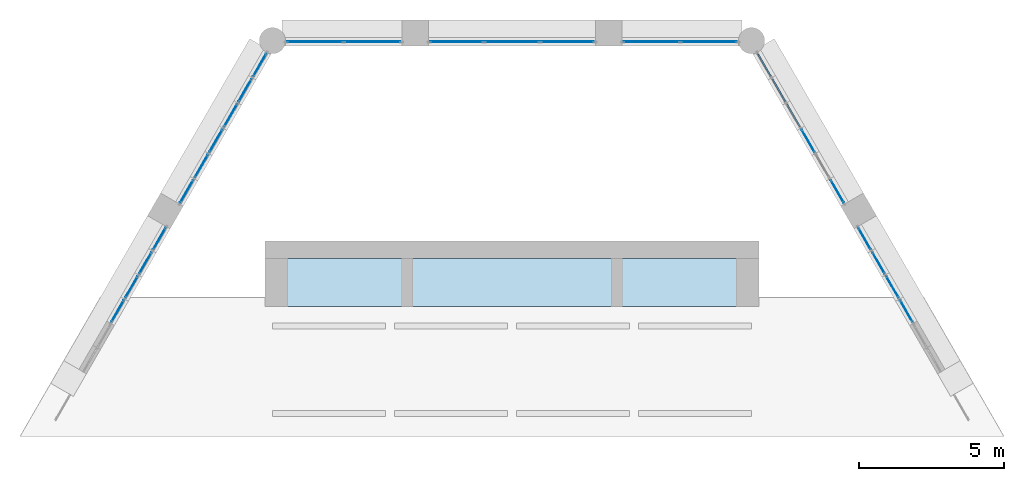
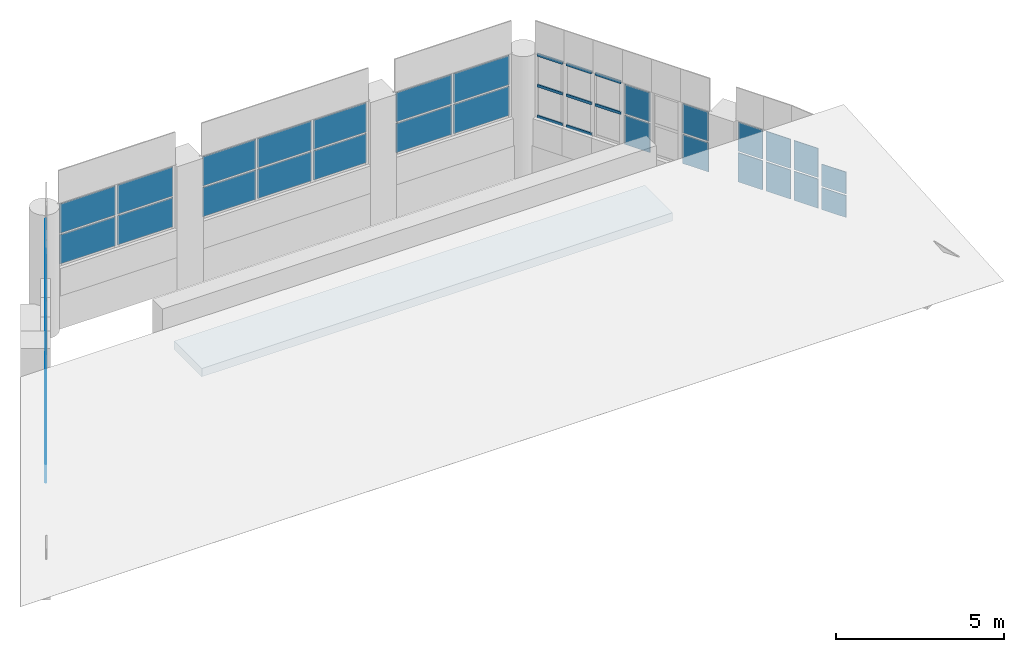
# One storey, part 9 of 11: 46 plates, 8 members, 1 slab, 22 elements without a shape of their own.
"""IFC4 building model written with IfcOpenShell, lengths in metres."""

from ifc_helpers import new_model, si_unit, direction, frame, origin, origin_2d, place, context, subcontext, project, spatial, polyline, rectangle, hollow_rectangle, outline, extrude, material, layer, layer_set, material_profile, profile_set, type_object, element, aggregate, save


model = new_model("IFC4")

# Units and contexts
model_context = context("Model", 3, precision=1e-05, world=origin(), true_north=direction((0.0, 1.0)))
body_context = subcontext(model_context, "Body", "Model", "MODEL_VIEW")
ifc_project = project(units=[si_unit("LENGTHUNIT", "METRE"), si_unit("AREAUNIT", "SQUARE_METRE"), si_unit("VOLUMEUNIT", "CUBIC_METRE"), si_unit("PLANEANGLEUNIT", "RADIAN"), si_unit("MASSUNIT", "GRAM", prefix="KILO")], contexts=[model_context])

# Site, building, storey
site_placement = place(None, origin())
site = spatial("IfcSite", under=ifc_project, at=site_placement, CompositionType="ELEMENT")
building_placement = place(site_placement, origin())
building = spatial("IfcBuilding", under=site, at=building_placement, Name="Ostrander Bayou Hotel Tower", CompositionType="ELEMENT")
storey_placement = place(building_placement, frame((0.0, 0.0, 293.0)))
storey = spatial("IfcBuildingStorey", under=building, at=storey_placement, Name="Roof 72", CompositionType="ELEMENT", Elevation=293.0)

# Curtain wall, members
ifc_material_1 = material(Name="Aluminium and clear glass", Category="aluminium")
curtain_wall_type = type_object("IfcCurtainWallType", Name="CW-CROWN glazed wall", PredefinedType="NOTDEFINED", material=ifc_material_1)
curtain_wall_1_placement = place(storey_placement, origin())
curtain_wall_1 = element("IfcCurtainWall", 1, at=curtain_wall_1_placement, inside=storey, type_object=curtain_wall_type, Name="CW-CROWN L72:NE-3-4", PredefinedType="NOTDEFINED")
ifc_material_2 = material(Name="Aluminium", Category="aluminium")
ifc_material_profile = material_profile(ifc_material_2, hollow_rectangle(XDim=0.050048828125, YDim=0.10009765625, WallThickness=0.00390625, at=origin_2d()))
ifc_profile_set = profile_set([ifc_material_profile], Name="Aluminium")
member_type = type_object("IfcMemberType", Name="CW-CR transom 50 x 100 mm", PredefinedType="USERDEFINED", material=ifc_profile_set)
member_1_placement = place(storey_placement, frame((9.90673828125, 13.628173828125, 2.14990234375), z_axis=(-0.500153222552, 0.865936922628, 0.0), x_axis=(-0.865936922628, -0.500153222552, 0.0)))
member_1 = element("IfcMember", 2, at=member_1_placement, type_object=member_type, Name="CW-CROWN transom 1.2", ObjectType="TRANSOM", PredefinedType="USERDEFINED", context=body_context, shape_type="SweptSolid", body=[
    extrude(hollow_rectangle(XDim=0.050048828125, YDim=0.10009765625, WallThickness=0.00390625, at=origin_2d()), origin(), (0.0, 0.0, 1.0), 0.883056640625),
])
member_2_placement = place(storey_placement, frame((9.90673828125, 13.628173828125, 3.27001953125), z_axis=(-0.500153222552, 0.865936922628, 0.0), x_axis=(-0.865936922628, -0.500153222552, 0.0)))
member_2 = element("IfcMember", 3, at=member_2_placement, type_object=member_type, Name="CW-CROWN transom 1.3", ObjectType="TRANSOM", PredefinedType="USERDEFINED", context=body_context, shape_type="SweptSolid", body=[
    extrude(hollow_rectangle(XDim=0.050048828125, YDim=0.10009765625, WallThickness=0.00390625, at=origin_2d()), origin(), (0.0, 0.0, 1.0), 0.883056640625),
])
aggregate(curtain_wall_1, [member_1, member_2])

curtain_wall_2_placement = place(storey_placement, origin())
curtain_wall_2 = element("IfcCurtainWall", 4, at=curtain_wall_2_placement, inside=storey, type_object=curtain_wall_type, Name="CW-CROWN L72:NE-3-5", PredefinedType="NOTDEFINED")
member_3_placement = place(storey_placement, frame((9.4052734375, 14.496826171875, 1.030029296875), z_axis=(-0.500033502416, 0.866006060292, 0.0), x_axis=(-0.866006060292, -0.500033502416, 0.0)))
member_3 = element("IfcMember", 5, at=member_3_placement, type_object=member_type, Name="CW-CROWN transom 1.1", ObjectType="TRANSOM", PredefinedType="USERDEFINED", context=body_context, shape_type="SweptSolid", body=[
    extrude(hollow_rectangle(XDim=0.050048828125, YDim=0.10009765625, WallThickness=0.00390625, at=origin_2d()), origin(), (0.0, 0.0, 1.0), 0.88330078125),
])
member_4_placement = place(storey_placement, frame((9.4052734375, 14.496826171875, 2.14990234375), z_axis=(-0.500033502416, 0.866006060292, 0.0), x_axis=(-0.866006060292, -0.500033502416, 0.0)))
member_4 = element("IfcMember", 6, at=member_4_placement, type_object=member_type, Name="CW-CROWN transom 1.2", ObjectType="TRANSOM", PredefinedType="USERDEFINED", context=body_context, shape_type="SweptSolid", body=[
    extrude(hollow_rectangle(XDim=0.050048828125, YDim=0.10009765625, WallThickness=0.00390625, at=origin_2d()), origin(), (0.0, 0.0, 1.0), 0.88330078125),
])
member_5_placement = place(storey_placement, frame((9.4052734375, 14.496826171875, 3.27001953125), z_axis=(-0.500033502416, 0.866006060292, 0.0), x_axis=(-0.866006060292, -0.500033502416, 0.0)))
member_5 = element("IfcMember", 7, at=member_5_placement, type_object=member_type, Name="CW-CROWN transom 1.3", ObjectType="TRANSOM", PredefinedType="USERDEFINED", context=body_context, shape_type="SweptSolid", body=[
    extrude(hollow_rectangle(XDim=0.050048828125, YDim=0.10009765625, WallThickness=0.00390625, at=origin_2d()), origin(), (0.0, 0.0, 1.0), 0.88330078125),
])
aggregate(curtain_wall_2, [member_3, member_4, member_5])

curtain_wall_3_placement = place(storey_placement, origin())
curtain_wall_3 = element("IfcCurtainWall", 8, at=curtain_wall_3_placement, inside=storey, type_object=curtain_wall_type, Name="CW-CROWN L72:NE-3-6", PredefinedType="NOTDEFINED")
member_6_placement = place(storey_placement, frame((8.903564453125, 15.365478515625, 1.030029296875), z_axis=(-0.500033502416, 0.866006060292, 0.0), x_axis=(-0.866006060292, -0.500033502416, 0.0)))
member_6 = element("IfcMember", 9, at=member_6_placement, type_object=member_type, Name="CW-CROWN transom 1.1", ObjectType="TRANSOM", PredefinedType="USERDEFINED", context=body_context, shape_type="SweptSolid", body=[
    extrude(hollow_rectangle(XDim=0.050048828125, YDim=0.10009765625, WallThickness=0.00390625, at=origin_2d()), origin(), (0.0, 0.0, 1.0), 0.88330078125),
])
member_7_placement = place(storey_placement, frame((8.903564453125, 15.365478515625, 2.14990234375), z_axis=(-0.500033502416, 0.866006060292, 0.0), x_axis=(-0.866006060292, -0.500033502416, 0.0)))
member_7 = element("IfcMember", 10, at=member_7_placement, type_object=member_type, Name="CW-CROWN transom 1.2", ObjectType="TRANSOM", PredefinedType="USERDEFINED", context=body_context, shape_type="SweptSolid", body=[
    extrude(hollow_rectangle(XDim=0.050048828125, YDim=0.10009765625, WallThickness=0.00390625, at=origin_2d()), origin(), (0.0, 0.0, 1.0), 0.88330078125),
])
member_8_placement = place(storey_placement, frame((8.903564453125, 15.365478515625, 3.27001953125), z_axis=(-0.500033502416, 0.866006060292, 0.0), x_axis=(-0.866006060292, -0.500033502416, 0.0)))
member_8 = element("IfcMember", 11, at=member_8_placement, type_object=member_type, Name="CW-CROWN transom 1.3", ObjectType="TRANSOM", PredefinedType="USERDEFINED", context=body_context, shape_type="SweptSolid", body=[
    extrude(hollow_rectangle(XDim=0.050048828125, YDim=0.10009765625, WallThickness=0.00390625, at=origin_2d()), origin(), (0.0, 0.0, 1.0), 0.88330078125),
])
aggregate(curtain_wall_3, [member_6, member_7, member_8])

# Curtain wall, plates
curtain_wall_4_placement = place(storey_placement, origin())
curtain_wall_4 = element("IfcCurtainWall", 12, at=curtain_wall_4_placement, inside=storey, type_object=curtain_wall_type, Name="CW-CROWN L72:N-1", PredefinedType="NOTDEFINED")
ifc_material_3 = material(Name="Clear laminated glass", Category="glass")
ifc_layer_1 = layer(ifc_material_3, 0.028076171875)
ifc_layer_set_1 = layer_set([ifc_layer_1], Name="CW-CR glazing panel 28 mm")
plate_type = type_object("IfcPlateType", Name="CW-CR glazing panel 28 mm", PredefinedType="CURTAIN_PANEL", material=ifc_layer_set_1)
plate_1_placement = place(storey_placement, frame((6.77685546875, 16.550048828125, 1.06005859375), z_axis=(0.0, 0.0, 1.0), x_axis=(-1.0, 0.0, 0.0)))
plate_1 = element("IfcPlate", 13, at=plate_1_placement, type_object=plate_type, Name="CW-CROWN panel 1.1", PredefinedType="CURTAIN_PANEL", context=body_context, shape_type="SweptSolid", body=[
    extrude(rectangle(XDim=1.918212890625, YDim=0.028076171875, at=origin_2d()), origin(), (0.0, 0.0, 1.0), 1.06005859375),
])
plate_2_placement = place(storey_placement, frame((6.77685546875, 16.550048828125, 2.179931640625), z_axis=(0.0, 0.0, 1.0), x_axis=(-1.0, 0.0, 0.0)))
plate_2 = element("IfcPlate", 14, at=plate_2_placement, type_object=plate_type, Name="CW-CROWN panel 1.2", PredefinedType="CURTAIN_PANEL", context=body_context, shape_type="SweptSolid", body=[
    extrude(rectangle(XDim=1.918212890625, YDim=0.028076171875, at=origin_2d()), origin(), (0.0, 0.0, 1.0), 1.06005859375),
])
plate_3_placement = place(storey_placement, frame((4.798583984375, 16.550048828125, 1.06005859375), z_axis=(0.0, 0.0, 1.0), x_axis=(-1.0, 0.0, 0.0)))
plate_3 = element("IfcPlate", 15, at=plate_3_placement, type_object=plate_type, Name="CW-CROWN panel 2.1", PredefinedType="CURTAIN_PANEL", context=body_context, shape_type="SweptSolid", body=[
    extrude(rectangle(XDim=1.918212890625, YDim=0.028076171875, at=origin_2d()), origin(), (0.0, 0.0, 1.0), 1.06005859375),
])
plate_4_placement = place(storey_placement, frame((4.798583984375, 16.550048828125, 2.179931640625), z_axis=(0.0, 0.0, 1.0), x_axis=(-1.0, 0.0, 0.0)))
plate_4 = element("IfcPlate", 16, at=plate_4_placement, type_object=plate_type, Name="CW-CROWN panel 2.2", PredefinedType="CURTAIN_PANEL", context=body_context, shape_type="SweptSolid", body=[
    extrude(rectangle(XDim=1.918212890625, YDim=0.028076171875, at=origin_2d()), origin(), (0.0, 0.0, 1.0), 1.06005859375),
])
aggregate(curtain_wall_4, [plate_1, plate_2, plate_3, plate_4])

curtain_wall_5_placement = place(storey_placement, origin())
curtain_wall_5 = element("IfcCurtainWall", 17, at=curtain_wall_5_placement, inside=storey, type_object=curtain_wall_type, Name="CW-CROWN L72:N-2", PredefinedType="NOTDEFINED")
plate_5_placement = place(storey_placement, frame((1.904541015625, 16.550048828125, 1.06005859375), z_axis=(0.0, 0.0, 1.0), x_axis=(-1.0, 0.0, 0.0)))
plate_5 = element("IfcPlate", 18, at=plate_5_placement, type_object=plate_type, Name="CW-CROWN panel 1.1", PredefinedType="CURTAIN_PANEL", context=body_context, shape_type="SweptSolid", body=[
    extrude(rectangle(XDim=1.82958984375, YDim=0.028076171875, at=origin_2d()), origin(), (0.0, 0.0, 1.0), 1.06005859375),
])
plate_6_placement = place(storey_placement, frame((1.904541015625, 16.550048828125, 2.179931640625), z_axis=(0.0, 0.0, 1.0), x_axis=(-1.0, 0.0, 0.0)))
plate_6 = element("IfcPlate", 19, at=plate_6_placement, type_object=plate_type, Name="CW-CROWN panel 1.2", PredefinedType="CURTAIN_PANEL", context=body_context, shape_type="SweptSolid", body=[
    extrude(rectangle(XDim=1.82958984375, YDim=0.028076171875, at=origin_2d()), origin(), (0.0, 0.0, 1.0), 1.06005859375),
])
plate_7_placement = place(storey_placement, frame((0.0, 16.550048828125, 1.06005859375), z_axis=(0.0, 0.0, 1.0), x_axis=(-1.0, 0.0, 0.0)))
plate_7 = element("IfcPlate", 20, at=plate_7_placement, type_object=plate_type, Name="CW-CROWN panel 2.1", PredefinedType="CURTAIN_PANEL", context=body_context, shape_type="SweptSolid", body=[
    extrude(rectangle(XDim=1.859619140625, YDim=0.028076171875, at=origin_2d()), origin(), (0.0, 0.0, 1.0), 1.06005859375),
])
plate_8_placement = place(storey_placement, frame((0.0, 16.550048828125, 2.179931640625), z_axis=(0.0, 0.0, 1.0), x_axis=(-1.0, 0.0, 0.0)))
plate_8 = element("IfcPlate", 21, at=plate_8_placement, type_object=plate_type, Name="CW-CROWN panel 2.2", PredefinedType="CURTAIN_PANEL", context=body_context, shape_type="SweptSolid", body=[
    extrude(rectangle(XDim=1.859619140625, YDim=0.028076171875, at=origin_2d()), origin(), (0.0, 0.0, 1.0), 1.06005859375),
])
plate_9_placement = place(storey_placement, frame((-1.904541015625, 16.550048828125, 1.06005859375), z_axis=(0.0, 0.0, 1.0), x_axis=(-1.0, 0.0, 0.0)))
plate_9 = element("IfcPlate", 22, at=plate_9_placement, type_object=plate_type, Name="CW-CROWN panel 3.1", PredefinedType="CURTAIN_PANEL", context=body_context, shape_type="SweptSolid", body=[
    extrude(rectangle(XDim=1.82958984375, YDim=0.028076171875, at=origin_2d()), origin(), (0.0, 0.0, 1.0), 1.06005859375),
])
plate_10_placement = place(storey_placement, frame((-1.904541015625, 16.550048828125, 2.179931640625), z_axis=(0.0, 0.0, 1.0), x_axis=(-1.0, 0.0, 0.0)))
plate_10 = element("IfcPlate", 23, at=plate_10_placement, type_object=plate_type, Name="CW-CROWN panel 3.2", PredefinedType="CURTAIN_PANEL", context=body_context, shape_type="SweptSolid", body=[
    extrude(rectangle(XDim=1.82958984375, YDim=0.028076171875, at=origin_2d()), origin(), (0.0, 0.0, 1.0), 1.06005859375),
])
aggregate(curtain_wall_5, [plate_5, plate_6, plate_7, plate_8, plate_9, plate_10])

curtain_wall_6_placement = place(storey_placement, origin())
curtain_wall_6 = element("IfcCurtainWall", 24, at=curtain_wall_6_placement, inside=storey, type_object=curtain_wall_type, Name="CW-CROWN L72:N-3", PredefinedType="NOTDEFINED")
plate_11_placement = place(storey_placement, frame((-4.798583984375, 16.550048828125, 1.06005859375), z_axis=(0.0, 0.0, 1.0), x_axis=(-1.0, 0.0, 0.0)))
plate_11 = element("IfcPlate", 25, at=plate_11_placement, type_object=plate_type, Name="CW-CROWN panel 1.1", PredefinedType="CURTAIN_PANEL", context=body_context, shape_type="SweptSolid", body=[
    extrude(rectangle(XDim=1.918212890625, YDim=0.028076171875, at=origin_2d()), origin(), (0.0, 0.0, 1.0), 1.06005859375),
])
plate_12_placement = place(storey_placement, frame((-4.798583984375, 16.550048828125, 2.179931640625), z_axis=(0.0, 0.0, 1.0), x_axis=(-1.0, 0.0, 0.0)))
plate_12 = element("IfcPlate", 26, at=plate_12_placement, type_object=plate_type, Name="CW-CROWN panel 1.2", PredefinedType="CURTAIN_PANEL", context=body_context, shape_type="SweptSolid", body=[
    extrude(rectangle(XDim=1.918212890625, YDim=0.028076171875, at=origin_2d()), origin(), (0.0, 0.0, 1.0), 1.06005859375),
])
plate_13_placement = place(storey_placement, frame((-6.77685546875, 16.550048828125, 1.06005859375), z_axis=(0.0, 0.0, 1.0), x_axis=(-1.0, 0.0, 0.0)))
plate_13 = element("IfcPlate", 27, at=plate_13_placement, type_object=plate_type, Name="CW-CROWN panel 2.1", PredefinedType="CURTAIN_PANEL", context=body_context, shape_type="SweptSolid", body=[
    extrude(rectangle(XDim=1.918212890625, YDim=0.028076171875, at=origin_2d()), origin(), (0.0, 0.0, 1.0), 1.06005859375),
])
plate_14_placement = place(storey_placement, frame((-6.77685546875, 16.550048828125, 2.179931640625), z_axis=(0.0, 0.0, 1.0), x_axis=(-1.0, 0.0, 0.0)))
plate_14 = element("IfcPlate", 28, at=plate_14_placement, type_object=plate_type, Name="CW-CROWN panel 2.2", PredefinedType="CURTAIN_PANEL", context=body_context, shape_type="SweptSolid", body=[
    extrude(rectangle(XDim=1.918212890625, YDim=0.028076171875, at=origin_2d()), origin(), (0.0, 0.0, 1.0), 1.06005859375),
])
aggregate(curtain_wall_6, [plate_11, plate_12, plate_13, plate_14])

curtain_wall_7_placement = place(storey_placement, origin())
curtain_wall_7 = element("IfcCurtainWall", 29, at=curtain_wall_7_placement, inside=storey, type_object=curtain_wall_type, Name="CW-CROWN L72:NW-1-1", PredefinedType="NOTDEFINED")
plate_15_placement = place(storey_placement, frame((-8.682861328125, 15.748046875, 1.06005859375), z_axis=(0.0, 0.0, 1.0), x_axis=(-0.499998569184, -0.866026229865, 0.0)))
plate_15 = element("IfcPlate", 30, at=plate_15_placement, type_object=plate_type, Name="CW-CROWN panel 1.1", PredefinedType="CURTAIN_PANEL", context=body_context, shape_type="SweptSolid", body=[
    extrude(rectangle(XDim=0.88330078125, YDim=0.028076171875, at=origin_2d()), origin(), (0.0, 0.0, 1.0), 1.06005859375),
])
plate_16_placement = place(storey_placement, frame((-8.682861328125, 15.748046875, 2.179931640625), z_axis=(0.0, 0.0, 1.0), x_axis=(-0.499998569184, -0.866026229865, 0.0)))
plate_16 = element("IfcPlate", 31, at=plate_16_placement, type_object=plate_type, Name="CW-CROWN panel 1.2", PredefinedType="CURTAIN_PANEL", context=body_context, shape_type="SweptSolid", body=[
    extrude(rectangle(XDim=0.88330078125, YDim=0.028076171875, at=origin_2d()), origin(), (0.0, 0.0, 1.0), 1.06005859375),
])
aggregate(curtain_wall_7, [plate_15, plate_16])

curtain_wall_8_placement = place(storey_placement, origin())
curtain_wall_8 = element("IfcCurtainWall", 32, at=curtain_wall_8_placement, inside=storey, type_object=curtain_wall_type, Name="CW-CROWN L72:NW-1-2", PredefinedType="NOTDEFINED")
plate_17_placement = place(storey_placement, frame((-9.184326171875, 14.879150390625, 1.06005859375), z_axis=(0.0, 0.0, 1.0), x_axis=(-0.50004173523, -0.866001306597, 0.0)))
plate_17 = element("IfcPlate", 33, at=plate_17_placement, type_object=plate_type, Name="CW-CROWN panel 1.1", PredefinedType="CURTAIN_PANEL", context=body_context, shape_type="SweptSolid", body=[
    extrude(rectangle(XDim=0.883056640625, YDim=0.028076171875, at=origin_2d()), origin(), (0.0, 0.0, 1.0), 1.06005859375),
])
plate_18_placement = place(storey_placement, frame((-9.184326171875, 14.879150390625, 2.179931640625), z_axis=(0.0, 0.0, 1.0), x_axis=(-0.50004173523, -0.866001306597, 0.0)))
plate_18 = element("IfcPlate", 34, at=plate_18_placement, type_object=plate_type, Name="CW-CROWN panel 1.2", PredefinedType="CURTAIN_PANEL", context=body_context, shape_type="SweptSolid", body=[
    extrude(rectangle(XDim=0.883056640625, YDim=0.028076171875, at=origin_2d()), origin(), (0.0, 0.0, 1.0), 1.06005859375),
])
aggregate(curtain_wall_8, [plate_17, plate_18])

curtain_wall_9_placement = place(storey_placement, origin())
curtain_wall_9 = element("IfcCurtainWall", 35, at=curtain_wall_9_placement, inside=storey, type_object=curtain_wall_type, Name="CW-CROWN L72:NW-1-3", PredefinedType="NOTDEFINED")
plate_19_placement = place(storey_placement, frame((-9.68603515625, 14.010498046875, 1.06005859375), z_axis=(0.0, 0.0, 1.0), x_axis=(-0.499998569184, -0.866026229865, 0.0)))
plate_19 = element("IfcPlate", 36, at=plate_19_placement, type_object=plate_type, Name="CW-CROWN panel 1.1", PredefinedType="CURTAIN_PANEL", context=body_context, shape_type="SweptSolid", body=[
    extrude(rectangle(XDim=0.88330078125, YDim=0.028076171875, at=origin_2d()), origin(), (0.0, 0.0, 1.0), 1.06005859375),
])
plate_20_placement = place(storey_placement, frame((-9.68603515625, 14.010498046875, 2.179931640625), z_axis=(0.0, 0.0, 1.0), x_axis=(-0.499998569184, -0.866026229865, 0.0)))
plate_20 = element("IfcPlate", 37, at=plate_20_placement, type_object=plate_type, Name="CW-CROWN panel 1.2", PredefinedType="CURTAIN_PANEL", context=body_context, shape_type="SweptSolid", body=[
    extrude(rectangle(XDim=0.88330078125, YDim=0.028076171875, at=origin_2d()), origin(), (0.0, 0.0, 1.0), 1.06005859375),
])
aggregate(curtain_wall_9, [plate_19, plate_20])

curtain_wall_10_placement = place(storey_placement, origin())
curtain_wall_10 = element("IfcCurtainWall", 38, at=curtain_wall_10_placement, inside=storey, type_object=curtain_wall_type, Name="CW-CROWN L72:NW-1-4", PredefinedType="NOTDEFINED")
plate_21_placement = place(storey_placement, frame((-10.1875, 13.1416015625, 1.06005859375), z_axis=(0.0, 0.0, 1.0), x_axis=(-0.499923802893, -0.866069391736, 0.0)))
plate_21 = element("IfcPlate", 39, at=plate_21_placement, type_object=plate_type, Name="CW-CROWN panel 1.1", PredefinedType="CURTAIN_PANEL", context=body_context, shape_type="SweptSolid", body=[
    extrude(rectangle(XDim=0.883056640625, YDim=0.028076171875, at=origin_2d()), origin(), (0.0, 0.0, 1.0), 1.06005859375),
])
plate_22_placement = place(storey_placement, frame((-10.1875, 13.1416015625, 2.179931640625), z_axis=(0.0, 0.0, 1.0), x_axis=(-0.499923802893, -0.866069391736, 0.0)))
plate_22 = element("IfcPlate", 40, at=plate_22_placement, type_object=plate_type, Name="CW-CROWN panel 1.2", PredefinedType="CURTAIN_PANEL", context=body_context, shape_type="SweptSolid", body=[
    extrude(rectangle(XDim=0.883056640625, YDim=0.028076171875, at=origin_2d()), origin(), (0.0, 0.0, 1.0), 1.06005859375),
])
aggregate(curtain_wall_10, [plate_21, plate_22])

curtain_wall_11_placement = place(storey_placement, origin())
curtain_wall_11 = element("IfcCurtainWall", 41, at=curtain_wall_11_placement, inside=storey, type_object=curtain_wall_type, Name="CW-CROWN L72:NW-1-5", PredefinedType="NOTDEFINED")
plate_23_placement = place(storey_placement, frame((-10.689208984375, 12.27294921875, 1.06005859375), z_axis=(0.0, 0.0, 1.0), x_axis=(-0.50004173523, -0.866001306597, 0.0)))
plate_23 = element("IfcPlate", 42, at=plate_23_placement, type_object=plate_type, Name="CW-CROWN panel 1.1", PredefinedType="CURTAIN_PANEL", context=body_context, shape_type="SweptSolid", body=[
    extrude(rectangle(XDim=0.883056640625, YDim=0.028076171875, at=origin_2d()), origin(), (0.0, 0.0, 1.0), 1.06005859375),
])
plate_24_placement = place(storey_placement, frame((-10.689208984375, 12.27294921875, 2.179931640625), z_axis=(0.0, 0.0, 1.0), x_axis=(-0.50004173523, -0.866001306597, 0.0)))
plate_24 = element("IfcPlate", 43, at=plate_24_placement, type_object=plate_type, Name="CW-CROWN panel 1.2", PredefinedType="CURTAIN_PANEL", context=body_context, shape_type="SweptSolid", body=[
    extrude(rectangle(XDim=0.883056640625, YDim=0.028076171875, at=origin_2d()), origin(), (0.0, 0.0, 1.0), 1.06005859375),
])
aggregate(curtain_wall_11, [plate_23, plate_24])

curtain_wall_12_placement = place(storey_placement, origin())
curtain_wall_12 = element("IfcCurtainWall", 44, at=curtain_wall_12_placement, inside=storey, type_object=curtain_wall_type, Name="CW-CROWN L72:NW-1-6", PredefinedType="NOTDEFINED")
plate_25_placement = place(storey_placement, frame((-11.190673828125, 11.404296875, 1.06005859375), z_axis=(0.0, 0.0, 1.0), x_axis=(-0.499998569184, -0.866026229865, 0.0)))
plate_25 = element("IfcPlate", 45, at=plate_25_placement, type_object=plate_type, Name="CW-CROWN panel 1.1", PredefinedType="CURTAIN_PANEL", context=body_context, shape_type="SweptSolid", body=[
    extrude(rectangle(XDim=0.88330078125, YDim=0.028076171875, at=origin_2d()), origin(), (0.0, 0.0, 1.0), 1.06005859375),
])
plate_26_placement = place(storey_placement, frame((-11.190673828125, 11.404296875, 2.179931640625), z_axis=(0.0, 0.0, 1.0), x_axis=(-0.499998569184, -0.866026229865, 0.0)))
plate_26 = element("IfcPlate", 46, at=plate_26_placement, type_object=plate_type, Name="CW-CROWN panel 1.2", PredefinedType="CURTAIN_PANEL", context=body_context, shape_type="SweptSolid", body=[
    extrude(rectangle(XDim=0.88330078125, YDim=0.028076171875, at=origin_2d()), origin(), (0.0, 0.0, 1.0), 1.06005859375),
])
aggregate(curtain_wall_12, [plate_25, plate_26])

curtain_wall_13_placement = place(storey_placement, origin())
curtain_wall_13 = element("IfcCurtainWall", 47, at=curtain_wall_13_placement, inside=storey, type_object=curtain_wall_type, Name="CW-CROWN L72:NW-2-1", PredefinedType="NOTDEFINED")
plate_27_placement = place(storey_placement, frame((-12.13134765625, 9.77490234375, 1.06005859375), z_axis=(0.0, 0.0, 1.0), x_axis=(-0.500005045044, -0.866022491007, 0.0)))
plate_27 = element("IfcPlate", 48, at=plate_27_placement, type_object=plate_type, Name="CW-CROWN panel 1.1", PredefinedType="CURTAIN_PANEL", context=body_context, shape_type="SweptSolid", body=[
    extrude(rectangle(XDim=0.83984375, YDim=0.028076171875, at=origin_2d()), origin(), (0.0, 0.0, 1.0), 1.06005859375),
])
plate_28_placement = place(storey_placement, frame((-12.13134765625, 9.77490234375, 2.179931640625), z_axis=(0.0, 0.0, 1.0), x_axis=(-0.500005045044, -0.866022491007, 0.0)))
plate_28 = element("IfcPlate", 49, at=plate_28_placement, type_object=plate_type, Name="CW-CROWN panel 1.2", PredefinedType="CURTAIN_PANEL", context=body_context, shape_type="SweptSolid", body=[
    extrude(rectangle(XDim=0.83984375, YDim=0.028076171875, at=origin_2d()), origin(), (0.0, 0.0, 1.0), 1.06005859375),
])
aggregate(curtain_wall_13, [plate_27, plate_28])

curtain_wall_14_placement = place(storey_placement, origin())
curtain_wall_14 = element("IfcCurtainWall", 50, at=curtain_wall_14_placement, inside=storey, type_object=curtain_wall_type, Name="CW-CROWN L72:NW-2-2", PredefinedType="NOTDEFINED")
plate_29_placement = place(storey_placement, frame((-12.611328125, 8.943603515625, 1.06005859375), z_axis=(0.0, 0.0, 1.0), x_axis=(-0.500005045044, -0.866022491007, 0.0)))
plate_29 = element("IfcPlate", 51, at=plate_29_placement, type_object=plate_type, Name="CW-CROWN panel 1.1", PredefinedType="CURTAIN_PANEL", context=body_context, shape_type="SweptSolid", body=[
    extrude(rectangle(XDim=0.83984375, YDim=0.028076171875, at=origin_2d()), origin(), (0.0, 0.0, 1.0), 1.06005859375),
])
plate_30_placement = place(storey_placement, frame((-12.611328125, 8.943603515625, 2.179931640625), z_axis=(0.0, 0.0, 1.0), x_axis=(-0.500005045044, -0.866022491007, 0.0)))
plate_30 = element("IfcPlate", 52, at=plate_30_placement, type_object=plate_type, Name="CW-CROWN panel 1.2", PredefinedType="CURTAIN_PANEL", context=body_context, shape_type="SweptSolid", body=[
    extrude(rectangle(XDim=0.83984375, YDim=0.028076171875, at=origin_2d()), origin(), (0.0, 0.0, 1.0), 1.06005859375),
])
aggregate(curtain_wall_14, [plate_29, plate_30])

curtain_wall_15_placement = place(storey_placement, origin())
curtain_wall_15 = element("IfcCurtainWall", 53, at=curtain_wall_15_placement, inside=storey, type_object=curtain_wall_type, Name="CW-CROWN L72:NW-2-3", PredefinedType="NOTDEFINED")
plate_31_placement = place(storey_placement, frame((-13.09130859375, 8.1123046875, 1.06005859375), z_axis=(0.0, 0.0, 1.0), x_axis=(-0.500005045044, -0.866022491007, 0.0)))
plate_31 = element("IfcPlate", 54, at=plate_31_placement, type_object=plate_type, Name="CW-CROWN panel 1.1", PredefinedType="CURTAIN_PANEL", context=body_context, shape_type="SweptSolid", body=[
    extrude(rectangle(XDim=0.83984375, YDim=0.028076171875, at=origin_2d()), origin(), (0.0, 0.0, 1.0), 1.06005859375),
])
plate_32_placement = place(storey_placement, frame((-13.09130859375, 8.1123046875, 2.179931640625), z_axis=(0.0, 0.0, 1.0), x_axis=(-0.500005045044, -0.866022491007, 0.0)))
plate_32 = element("IfcPlate", 55, at=plate_32_placement, type_object=plate_type, Name="CW-CROWN panel 1.2", PredefinedType="CURTAIN_PANEL", context=body_context, shape_type="SweptSolid", body=[
    extrude(rectangle(XDim=0.83984375, YDim=0.028076171875, at=origin_2d()), origin(), (0.0, 0.0, 1.0), 1.06005859375),
])
aggregate(curtain_wall_15, [plate_31, plate_32])

curtain_wall_16_placement = place(storey_placement, origin())
curtain_wall_16 = element("IfcCurtainWall", 56, at=curtain_wall_16_placement, inside=storey, type_object=curtain_wall_type, Name="CW-CROWN L72:NW-2-4", PredefinedType="NOTDEFINED")
plate_33_placement = place(storey_placement, frame((-13.571044921875, 7.28125, 1.06005859375), z_axis=(0.0, 0.0, 1.0), x_axis=(-0.499959932788, -0.866048535364, 0.0)))
plate_33 = element("IfcPlate", 57, at=plate_33_placement, type_object=plate_type, Name="CW-CROWN panel 1.1", PredefinedType="CURTAIN_PANEL", context=body_context, shape_type="SweptSolid", body=[
    extrude(rectangle(XDim=0.83984375, YDim=0.028076171875, at=origin_2d()), origin(), (0.0, 0.0, 1.0), 0.7958984375),
])
plate_34_placement = place(storey_placement, frame((-13.571044921875, 7.28125, 1.916015625), z_axis=(0.0, 0.0, 1.0), x_axis=(-0.499959932788, -0.866048535364, 0.0)))
plate_34 = element("IfcPlate", 58, at=plate_34_placement, type_object=plate_type, Name="CW-CROWN panel 1.2", PredefinedType="CURTAIN_PANEL", context=body_context, shape_type="SweptSolid", body=[
    extrude(rectangle(XDim=0.83984375, YDim=0.028076171875, at=origin_2d()), origin(), (0.0, 0.0, 1.0), 0.7958984375),
])
aggregate(curtain_wall_16, [plate_33, plate_34])

curtain_wall_17_placement = place(storey_placement, origin())
curtain_wall_17 = element("IfcCurtainWall", 59, at=curtain_wall_17_placement, inside=storey, type_object=curtain_wall_type, Name="CW-CROWN L72:NE-2-3", PredefinedType="NOTDEFINED")
plate_35_placement = place(storey_placement, frame((13.571044921875, 7.28125, 1.06005859375), z_axis=(0.0, 0.0, 1.0), x_axis=(-0.499959932788, 0.866048535364, 0.0)))
plate_35 = element("IfcPlate", 60, at=plate_35_placement, type_object=plate_type, Name="CW-CROWN panel 1.1", PredefinedType="CURTAIN_PANEL", context=body_context, shape_type="SweptSolid", body=[
    extrude(rectangle(XDim=0.83984375, YDim=0.028076171875, at=origin_2d()), origin(), (0.0, 0.0, 1.0), 0.7958984375),
])
plate_36_placement = place(storey_placement, frame((13.571044921875, 7.28125, 1.916015625), z_axis=(0.0, 0.0, 1.0), x_axis=(-0.499959932788, 0.866048535364, 0.0)))
plate_36 = element("IfcPlate", 61, at=plate_36_placement, type_object=plate_type, Name="CW-CROWN panel 1.2", PredefinedType="CURTAIN_PANEL", context=body_context, shape_type="SweptSolid", body=[
    extrude(rectangle(XDim=0.83984375, YDim=0.028076171875, at=origin_2d()), origin(), (0.0, 0.0, 1.0), 0.7958984375),
])
aggregate(curtain_wall_17, [plate_35, plate_36])

curtain_wall_18_placement = place(storey_placement, origin())
curtain_wall_18 = element("IfcCurtainWall", 62, at=curtain_wall_18_placement, inside=storey, type_object=curtain_wall_type, Name="CW-CROWN L72:NE-2-4", PredefinedType="NOTDEFINED")
plate_37_placement = place(storey_placement, frame((13.09130859375, 8.1123046875, 1.06005859375), z_axis=(0.0, 0.0, 1.0), x_axis=(-0.500005045044, 0.866022491007, 0.0)))
plate_37 = element("IfcPlate", 63, at=plate_37_placement, type_object=plate_type, Name="CW-CROWN panel 1.1", PredefinedType="CURTAIN_PANEL", context=body_context, shape_type="SweptSolid", body=[
    extrude(rectangle(XDim=0.83984375, YDim=0.028076171875, at=origin_2d()), origin(), (0.0, 0.0, 1.0), 1.06005859375),
])
plate_38_placement = place(storey_placement, frame((13.09130859375, 8.1123046875, 2.179931640625), z_axis=(0.0, 0.0, 1.0), x_axis=(-0.500005045044, 0.866022491007, 0.0)))
plate_38 = element("IfcPlate", 64, at=plate_38_placement, type_object=plate_type, Name="CW-CROWN panel 1.2", PredefinedType="CURTAIN_PANEL", context=body_context, shape_type="SweptSolid", body=[
    extrude(rectangle(XDim=0.83984375, YDim=0.028076171875, at=origin_2d()), origin(), (0.0, 0.0, 1.0), 1.06005859375),
])
aggregate(curtain_wall_18, [plate_37, plate_38])

curtain_wall_19_placement = place(storey_placement, origin())
curtain_wall_19 = element("IfcCurtainWall", 65, at=curtain_wall_19_placement, inside=storey, type_object=curtain_wall_type, Name="CW-CROWN L72:NE-2-5", PredefinedType="NOTDEFINED")
plate_39_placement = place(storey_placement, frame((12.611328125, 8.943603515625, 1.06005859375), z_axis=(0.0, 0.0, 1.0), x_axis=(-0.500005045044, 0.866022491007, 0.0)))
plate_39 = element("IfcPlate", 66, at=plate_39_placement, type_object=plate_type, Name="CW-CROWN panel 1.1", PredefinedType="CURTAIN_PANEL", context=body_context, shape_type="SweptSolid", body=[
    extrude(rectangle(XDim=0.83984375, YDim=0.028076171875, at=origin_2d()), origin(), (0.0, 0.0, 1.0), 1.06005859375),
])
plate_40_placement = place(storey_placement, frame((12.611328125, 8.943603515625, 2.179931640625), z_axis=(0.0, 0.0, 1.0), x_axis=(-0.500005045044, 0.866022491007, 0.0)))
plate_40 = element("IfcPlate", 67, at=plate_40_placement, type_object=plate_type, Name="CW-CROWN panel 1.2", PredefinedType="CURTAIN_PANEL", context=body_context, shape_type="SweptSolid", body=[
    extrude(rectangle(XDim=0.83984375, YDim=0.028076171875, at=origin_2d()), origin(), (0.0, 0.0, 1.0), 1.06005859375),
])
aggregate(curtain_wall_19, [plate_39, plate_40])

curtain_wall_20_placement = place(storey_placement, origin())
curtain_wall_20 = element("IfcCurtainWall", 68, at=curtain_wall_20_placement, inside=storey, type_object=curtain_wall_type, Name="CW-CROWN L72:NE-2-6", PredefinedType="NOTDEFINED")
plate_41_placement = place(storey_placement, frame((12.13134765625, 9.77490234375, 1.06005859375), z_axis=(0.0, 0.0, 1.0), x_axis=(-0.500005045044, 0.866022491007, 0.0)))
plate_41 = element("IfcPlate", 69, at=plate_41_placement, type_object=plate_type, Name="CW-CROWN panel 1.1", PredefinedType="CURTAIN_PANEL", context=body_context, shape_type="SweptSolid", body=[
    extrude(rectangle(XDim=0.83984375, YDim=0.028076171875, at=origin_2d()), origin(), (0.0, 0.0, 1.0), 1.06005859375),
])
plate_42_placement = place(storey_placement, frame((12.13134765625, 9.77490234375, 2.179931640625), z_axis=(0.0, 0.0, 1.0), x_axis=(-0.500005045044, 0.866022491007, 0.0)))
plate_42 = element("IfcPlate", 70, at=plate_42_placement, type_object=plate_type, Name="CW-CROWN panel 1.2", PredefinedType="CURTAIN_PANEL", context=body_context, shape_type="SweptSolid", body=[
    extrude(rectangle(XDim=0.83984375, YDim=0.028076171875, at=origin_2d()), origin(), (0.0, 0.0, 1.0), 1.06005859375),
])
aggregate(curtain_wall_20, [plate_41, plate_42])

curtain_wall_21_placement = place(storey_placement, origin())
curtain_wall_21 = element("IfcCurtainWall", 71, at=curtain_wall_21_placement, inside=storey, type_object=curtain_wall_type, Name="CW-CROWN L72:NE-3-1", PredefinedType="NOTDEFINED")
plate_43_placement = place(storey_placement, frame((11.190673828125, 11.404296875, 1.06005859375), z_axis=(0.0, 0.0, 1.0), x_axis=(-0.499998569184, 0.866026229865, 0.0)))
plate_43 = element("IfcPlate", 72, at=plate_43_placement, type_object=plate_type, Name="CW-CROWN panel 1.1", PredefinedType="CURTAIN_PANEL", context=body_context, shape_type="SweptSolid", body=[
    extrude(rectangle(XDim=0.88330078125, YDim=0.028076171875, at=origin_2d()), origin(), (0.0, 0.0, 1.0), 1.06005859375),
])
plate_44_placement = place(storey_placement, frame((11.190673828125, 11.404296875, 2.179931640625), z_axis=(0.0, 0.0, 1.0), x_axis=(-0.499998569184, 0.866026229865, 0.0)))
plate_44 = element("IfcPlate", 73, at=plate_44_placement, type_object=plate_type, Name="CW-CROWN panel 1.2", PredefinedType="CURTAIN_PANEL", context=body_context, shape_type="SweptSolid", body=[
    extrude(rectangle(XDim=0.88330078125, YDim=0.028076171875, at=origin_2d()), origin(), (0.0, 0.0, 1.0), 1.06005859375),
])
aggregate(curtain_wall_21, [plate_43, plate_44])

curtain_wall_22_placement = place(storey_placement, origin())
curtain_wall_22 = element("IfcCurtainWall", 74, at=curtain_wall_22_placement, inside=storey, type_object=curtain_wall_type, Name="CW-CROWN L72:NE-3-3", PredefinedType="NOTDEFINED")
plate_45_placement = place(storey_placement, frame((10.1875, 13.1416015625, 1.06005859375), z_axis=(0.0, 0.0, 1.0), x_axis=(-0.499923802893, 0.866069391736, 0.0)))
plate_45 = element("IfcPlate", 75, at=plate_45_placement, type_object=plate_type, Name="CW-CROWN panel 1.1", PredefinedType="CURTAIN_PANEL", context=body_context, shape_type="SweptSolid", body=[
    extrude(rectangle(XDim=0.883056640625, YDim=0.028076171875, at=origin_2d()), origin(), (0.0, 0.0, 1.0), 1.06005859375),
])
plate_46_placement = place(storey_placement, frame((10.1875, 13.1416015625, 2.179931640625), z_axis=(0.0, 0.0, 1.0), x_axis=(-0.499923802893, 0.866069391736, 0.0)))
plate_46 = element("IfcPlate", 76, at=plate_46_placement, type_object=plate_type, Name="CW-CROWN panel 1.2", PredefinedType="CURTAIN_PANEL", context=body_context, shape_type="SweptSolid", body=[
    extrude(rectangle(XDim=0.883056640625, YDim=0.028076171875, at=origin_2d()), origin(), (0.0, 0.0, 1.0), 1.06005859375),
])
aggregate(curtain_wall_22, [plate_45, plate_46])

# Slab
ifc_material_4 = material(Name="Concrete f'c 40 MPa", Category="concrete")
ifc_layer_2 = layer(ifc_material_4, 0.300048828125)
ifc_layer_set_2 = layer_set([ifc_layer_2], Name="SL6D crown core roof lid 300 mm f'c 40 MPa")
slab_type = type_object("IfcSlabType", Name="SL6D crown core roof lid 300 mm f'c 40 MPa", PredefinedType="ROOF", material=ifc_layer_set_2)
slab_placement = place(storey_placement, frame((0.0, 0.0, 2.60009765625)))
element("IfcSlab", 77, at=slab_placement, inside=storey, type_object=slab_type, Name="SL6D ROOF CORE LID L72 1", PredefinedType="ROOF", context=body_context, shape_type="SweptSolid", body=[
    extrude(outline(polyline([(8.10009765625, 7.44384765625), (-8.10009765625, 7.44384765625), (-8.10009765625, 9.10009765625), (8.10009765625, 9.10009765625), (8.10009765625, 7.44384765625)])), origin(), (0.0, 0.0, 1.0), 0.2998046875),
])

save(model, "model.ifc")
